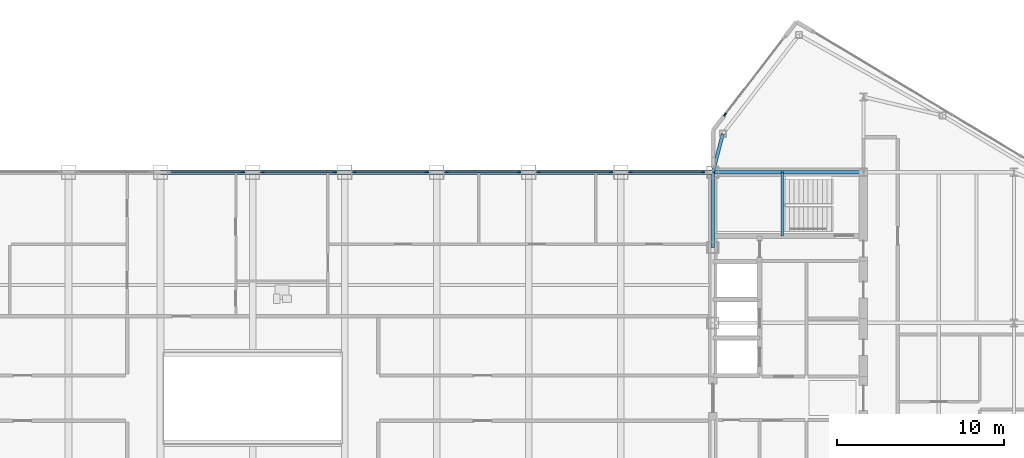
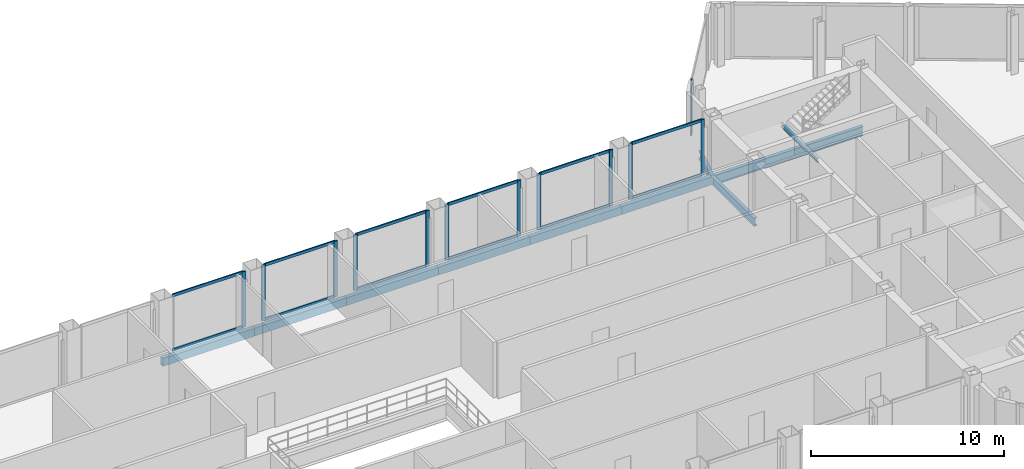
# One storey, part 16 of 29: 24 members, 10 beams, 7 elements without a shape of their own.
"""IFC4 building model written with IfcOpenShell, lengths in metres."""

from ifc_helpers import new_model, si_unit, direction, frame, origin, origin_2d, place, context, subcontext, project, spatial, rectangle, hollow_rectangle, i_section, extrude, source, transform, mapped, material, layer, layer_set, material_profile, profile_set, type_object, type_shapes, element, aggregate, save


model = new_model("IFC4")

# Units and contexts
model_context = context("Model", 3, precision=1e-05, world=origin(), true_north=direction((0.0, 1.0)))
body_context = subcontext(model_context, "Body", "Model", "MODEL_VIEW")
ifc_project = project(units=[si_unit("LENGTHUNIT", "METRE"), si_unit("AREAUNIT", "SQUARE_METRE"), si_unit("VOLUMEUNIT", "CUBIC_METRE"), si_unit("PLANEANGLEUNIT", "RADIAN"), si_unit("MASSUNIT", "GRAM", prefix="KILO")], contexts=[model_context])

# Site, building, storey
site_placement = place(None, origin())
site = spatial("IfcSite", under=ifc_project, at=site_placement, CompositionType="ELEMENT")
building_placement = place(site_placement, origin())
building = spatial("IfcBuilding", under=site, at=building_placement, Name="Seokmaru Belvedere", CompositionType="ELEMENT")
storey_placement = place(building_placement, frame((0.0, 0.0, 258.14990234375)))
storey = spatial("IfcBuildingStorey", under=building, at=storey_placement, Name="L68", CompositionType="ELEMENT", Elevation=258.14990234375)

# Beams
ifc_material_1 = material(Name="Steel SM355 (355 MPa)", Category="steel")
ifc_material_profile_1 = material_profile(ifc_material_1, i_section(OverallWidth=0.199951171875, OverallDepth=0.5, WebThickness=0.010009765625, FlangeThickness=0.01611328125, at=origin_2d()), Name="H-500x200x10x16")
ifc_profile_set_1 = profile_set([ifc_material_profile_1], Name="Steel SM355 (355 MPa)")
beam_type_1 = type_object("IfcBeamType", Name="Perimeter Spandrel Beam H-500", PredefinedType="SPANDREL", material=ifc_profile_set_1)
shared_shape_1 = source(origin(), body_context, "Body", "SweptSolid", [
    extrude(i_section(OverallWidth=0.199951171875, OverallDepth=0.5, WebThickness=0.010009765625, FlangeThickness=0.01611328125, at=origin_2d()), origin(), (0.0, 0.0, 1.0), 4.5),
])
beam_1_placement = place(storey_placement, frame((27.5, 9.0, -0.469970703125), z_axis=(0.0, 1.0, 0.0), x_axis=(-1.0, 0.0, 0.0)))
element("IfcBeam", 1, at=beam_1_placement, inside=storey, type_object=beam_type_1, Name="L68 E Portal Spine Spandrel 5", PredefinedType="SPANDREL", context=body_context, shape_type="MappedRepresentation", body=[
    mapped(shared_shape_1, transform((0.0, 0.0, 0.0), scale=1.0)),
])
ifc_material_profile_2 = material_profile(ifc_material_1, i_section(OverallWidth=0.199951171875, OverallDepth=0.60009765625, WebThickness=0.010986328125, FlangeThickness=0.01708984375, at=origin_2d()), Name="H-600x200x11x17")
ifc_profile_set_2 = profile_set([ifc_material_profile_2], Name="Steel SM355 (355 MPa)")
beam_type_2 = type_object("IfcBeamType", Name="Primary Floor Girder H-600", PredefinedType="BEAM", material=ifc_profile_set_2)
shared_shape_2 = source(origin(), body_context, "Body", "SweptSolid", [
    extrude(i_section(OverallWidth=0.199951171875, OverallDepth=0.60009765625, WebThickness=0.010986328125, FlangeThickness=0.01708984375, at=origin_2d()), origin(), (0.0, 0.0, 1.0), 9.0),
])
type_shapes(beam_type_2, [shared_shape_2])
beam_2_placement = place(storey_placement, frame((27.5, 13.5, -0.52001953125), z_axis=(1.0, 0.0, 0.0), x_axis=(0.0, 1.0, 0.0)))
element("IfcBeam", 2, at=beam_2_placement, inside=storey, type_object=beam_type_2, Name="L68 E Core Tie Girder 4", PredefinedType="BEAM", context=body_context, shape_type="MappedRepresentation", body=[
    mapped(shared_shape_2, transform((0.0, 0.0, 0.0), scale=1.0)),
])
shared_shape_3 = source(origin(), body_context, "Body", "SweptSolid", [
    extrude(i_section(OverallWidth=0.199951171875, OverallDepth=0.5, WebThickness=0.010009765625, FlangeThickness=0.01611328125, at=origin_2d()), origin(), (0.0, 0.0, 1.0), 2.373046875),
])
type_shapes(beam_type_1, [shared_shape_1, shared_shape_3])
beam_3_placement = place(storey_placement, frame((28.10009765625, 15.7958984375, -0.469970703125), z_axis=(-0.252882558842, -0.967496982648, 0.0), x_axis=(0.967496982648, -0.252882558842, 0.0)))
element("IfcBeam", 3, at=beam_3_placement, inside=storey, type_object=beam_type_1, Name="L68 E Shoulder Spine Spandrel N", PredefinedType="SPANDREL", context=body_context, shape_type="MappedRepresentation", body=[
    mapped(shared_shape_3, transform((0.0, 0.0, 0.0), scale=1.0)),
])
ifc_material_profile_3 = material_profile(ifc_material_1, hollow_rectangle(XDim=0.25, YDim=0.5, WallThickness=0.013916015625, at=origin_2d()), Name="RHS-500x250x14")
ifc_profile_set_3 = profile_set([ifc_material_profile_3], Name="Steel SM355 (355 MPa)")
beam_type_3 = type_object("IfcBeamType", Name="Bridge Edge Spandrel RHS-500", PredefinedType="SPANDREL", material=ifc_profile_set_3)
shared_shape_4 = source(origin(), body_context, "Body", "SweptSolid", [
    extrude(hollow_rectangle(XDim=0.25, YDim=0.5, WallThickness=0.013916015625, at=origin_2d()), origin(), (0.0, 0.0, 1.0), 5.5),
])
type_shapes(beam_type_3, [shared_shape_4])
for number, where, z_axis, x_axis, name in (
    (4, (-5.5, 13.5, -0.469970703125), (1.0, 0.0, 0.0), (0.0, 1.0, 0.0), "L68 Sky-Gate Bridge Edge Girder N-05"),
    (5, (0.0, 13.5, -0.469970703125), (1.0, 0.0, 0.0), (0.0, 1.0, 0.0), "L68 Sky-Gate Bridge Edge Girder N-06"),
    (6, (5.5, 13.5, -0.469970703125), (1.0, 0.0, 0.0), (0.0, 1.0, 0.0), "L68 Sky-Gate Bridge Edge Girder N-07"),
    (7, (11.0, 13.5, -0.469970703125), (1.0, 0.0, 0.0), (0.0, 1.0, 0.0), "L68 Sky-Gate Bridge Edge Girder N-08"),
    (8, (16.5, 13.5, -0.469970703125), (1.0, 0.0, 0.0), (0.0, 1.0, 0.0), "L68 Sky-Gate Bridge Edge Girder N-09"),
    (9, (22.0, 13.5, -0.469970703125), (1.0, 0.0, 0.0), (0.0, 1.0, 0.0), "L68 Sky-Gate Bridge Edge Girder N-10"),
):
    element("IfcBeam", number, at=place(storey_placement, frame(where, z_axis=z_axis, x_axis=x_axis)), inside=storey, type_object=beam_type_3, Name=name, PredefinedType="SPANDREL", context=body_context, shape_type="MappedRepresentation", body=[
        mapped(shared_shape_4, transform((0.0, 0.0, 0.0), scale=1.0)),
    ])

# Curtain wall, members
ifc_material_2 = material(Name="Bronze Triple Insulating Glass", Category="glass")
ifc_layer = layer(ifc_material_2, 0.219970703125)
ifc_layer_set = layer_set([ifc_layer], Name="Bronze Triple Insulating Glass")
curtain_wall_type = type_object("IfcCurtainWallType", Name="Sky-Gate Bridge Panorama Curtain Wall System CW-6", PredefinedType="NOTDEFINED", material=ifc_layer_set)
curtain_wall_1_placement = place(storey_placement, origin())
curtain_wall_1 = element("IfcCurtainWall", 10, at=curtain_wall_1_placement, inside=storey, type_object=curtain_wall_type, Name="L68 Curtain Wall BR_N05", PredefinedType="NOTDEFINED")
ifc_material_3 = material(Name="Anodised Bronze Aluminium", Category="aluminium")
ifc_material_profile_4 = material_profile(ifc_material_3, rectangle(XDim=0.074951171875, YDim=0.179931640625, at=origin_2d()), Name="CW-T-75x180")
ifc_profile_set_4 = profile_set([ifc_material_profile_4], Name="Anodised Bronze Aluminium")
member_type_1 = type_object("IfcMemberType", Name="Bronze Unitised Transom 75x180", PredefinedType="USERDEFINED", material=ifc_profile_set_4)
shared_shape_5 = source(origin(), body_context, "Body", "SweptSolid", [
    extrude(rectangle(XDim=0.074951171875, YDim=0.179931640625, at=origin_2d()), origin(), (0.0, 0.0, 1.0), 4.240234375),
])
type_shapes(member_type_1, [shared_shape_5])
member_1_placement = place(storey_placement, frame((-0.6298828125, 13.5, 0.03759765625), z_axis=(-1.0, 0.0, 0.0), x_axis=(0.0, -1.0, 0.0)))
member_1 = element("IfcMember", 11, at=member_1_placement, type_object=member_type_1, Name="CW:L68:BR_N05 Continuous Transom 1", ObjectType="TRANSOM", PredefinedType="USERDEFINED", context=body_context, shape_type="MappedRepresentation", body=[
    mapped(shared_shape_5, transform((0.0, 0.0, 0.0), scale=1.0)),
])
member_2_placement = place(storey_placement, frame((-0.6298828125, 13.5, 3.49267578125), z_axis=(-1.0, 0.0, 0.0), x_axis=(0.0, -1.0, 0.0)))
member_2 = element("IfcMember", 12, at=member_2_placement, type_object=member_type_1, Name="CW:L68:BR_N05 Continuous Transom 2", ObjectType="TRANSOM", PredefinedType="USERDEFINED", context=body_context, shape_type="MappedRepresentation", body=[
    mapped(shared_shape_5, transform((0.0, 0.0, 0.0), scale=1.0)),
])

curtain_wall_2_placement = place(storey_placement, origin())
curtain_wall_2 = element("IfcCurtainWall", 13, at=curtain_wall_2_placement, inside=storey, type_object=curtain_wall_type, Name="L68 Curtain Wall BR_N06", PredefinedType="NOTDEFINED")
member_3_placement = place(storey_placement, frame((4.8701171875, 13.5, 0.03759765625), z_axis=(-1.0, 0.0, 0.0), x_axis=(0.0, -1.0, 0.0)))
member_3 = element("IfcMember", 14, at=member_3_placement, type_object=member_type_1, Name="CW:L68:BR_N06 Continuous Transom 1", ObjectType="TRANSOM", PredefinedType="USERDEFINED", context=body_context, shape_type="MappedRepresentation", body=[
    mapped(shared_shape_5, transform((0.0, 0.0, 0.0), scale=1.0)),
])
member_4_placement = place(storey_placement, frame((4.8701171875, 13.5, 3.49267578125), z_axis=(-1.0, 0.0, 0.0), x_axis=(0.0, -1.0, 0.0)))
member_4 = element("IfcMember", 15, at=member_4_placement, type_object=member_type_1, Name="CW:L68:BR_N06 Continuous Transom 2", ObjectType="TRANSOM", PredefinedType="USERDEFINED", context=body_context, shape_type="MappedRepresentation", body=[
    mapped(shared_shape_5, transform((0.0, 0.0, 0.0), scale=1.0)),
])

curtain_wall_3_placement = place(storey_placement, origin())
curtain_wall_3 = element("IfcCurtainWall", 16, at=curtain_wall_3_placement, inside=storey, type_object=curtain_wall_type, Name="L68 Curtain Wall BR_N07", PredefinedType="NOTDEFINED")
member_5_placement = place(storey_placement, frame((10.3701171875, 13.5, 0.03759765625), z_axis=(-1.0, 0.0, 0.0), x_axis=(0.0, -1.0, 0.0)))
member_5 = element("IfcMember", 17, at=member_5_placement, type_object=member_type_1, Name="CW:L68:BR_N07 Continuous Transom 1", ObjectType="TRANSOM", PredefinedType="USERDEFINED", context=body_context, shape_type="MappedRepresentation", body=[
    mapped(shared_shape_5, transform((0.0, 0.0, 0.0), scale=1.0)),
])
member_6_placement = place(storey_placement, frame((10.3701171875, 13.5, 3.49267578125), z_axis=(-1.0, 0.0, 0.0), x_axis=(0.0, -1.0, 0.0)))
member_6 = element("IfcMember", 18, at=member_6_placement, type_object=member_type_1, Name="CW:L68:BR_N07 Continuous Transom 2", ObjectType="TRANSOM", PredefinedType="USERDEFINED", context=body_context, shape_type="MappedRepresentation", body=[
    mapped(shared_shape_5, transform((0.0, 0.0, 0.0), scale=1.0)),
])

curtain_wall_4_placement = place(storey_placement, origin())
curtain_wall_4 = element("IfcCurtainWall", 19, at=curtain_wall_4_placement, inside=storey, type_object=curtain_wall_type, Name="L68 Curtain Wall BR_N08", PredefinedType="NOTDEFINED")
member_7_placement = place(storey_placement, frame((15.8701171875, 13.5, 0.03759765625), z_axis=(-1.0, 0.0, 0.0), x_axis=(0.0, -1.0, 0.0)))
member_7 = element("IfcMember", 20, at=member_7_placement, type_object=member_type_1, Name="CW:L68:BR_N08 Continuous Transom 1", ObjectType="TRANSOM", PredefinedType="USERDEFINED", context=body_context, shape_type="MappedRepresentation", body=[
    mapped(shared_shape_5, transform((0.0, 0.0, 0.0), scale=1.0)),
])
member_8_placement = place(storey_placement, frame((15.8701171875, 13.5, 3.49267578125), z_axis=(-1.0, 0.0, 0.0), x_axis=(0.0, -1.0, 0.0)))
member_8 = element("IfcMember", 21, at=member_8_placement, type_object=member_type_1, Name="CW:L68:BR_N08 Continuous Transom 2", ObjectType="TRANSOM", PredefinedType="USERDEFINED", context=body_context, shape_type="MappedRepresentation", body=[
    mapped(shared_shape_5, transform((0.0, 0.0, 0.0), scale=1.0)),
])

curtain_wall_5_placement = place(storey_placement, origin())
curtain_wall_5 = element("IfcCurtainWall", 22, at=curtain_wall_5_placement, inside=storey, type_object=curtain_wall_type, Name="L68 Curtain Wall BR_N09", PredefinedType="NOTDEFINED")
member_9_placement = place(storey_placement, frame((21.3701171875, 13.5, 0.03759765625), z_axis=(-1.0, 0.0, 0.0), x_axis=(0.0, -1.0, 0.0)))
member_9 = element("IfcMember", 23, at=member_9_placement, type_object=member_type_1, Name="CW:L68:BR_N09 Continuous Transom 1", ObjectType="TRANSOM", PredefinedType="USERDEFINED", context=body_context, shape_type="MappedRepresentation", body=[
    mapped(shared_shape_5, transform((0.0, 0.0, 0.0), scale=1.0)),
])
member_10_placement = place(storey_placement, frame((21.3701171875, 13.5, 3.49267578125), z_axis=(-1.0, 0.0, 0.0), x_axis=(0.0, -1.0, 0.0)))
member_10 = element("IfcMember", 24, at=member_10_placement, type_object=member_type_1, Name="CW:L68:BR_N09 Continuous Transom 2", ObjectType="TRANSOM", PredefinedType="USERDEFINED", context=body_context, shape_type="MappedRepresentation", body=[
    mapped(shared_shape_5, transform((0.0, 0.0, 0.0), scale=1.0)),
])

curtain_wall_6_placement = place(storey_placement, origin())
curtain_wall_6 = element("IfcCurtainWall", 25, at=curtain_wall_6_placement, inside=storey, type_object=curtain_wall_type, Name="L68 Curtain Wall BR_N10", PredefinedType="NOTDEFINED")
member_11_placement = place(storey_placement, frame((26.8701171875, 13.5, 0.03759765625), z_axis=(-1.0, 0.0, 0.0), x_axis=(0.0, -1.0, 0.0)))
member_11 = element("IfcMember", 26, at=member_11_placement, type_object=member_type_1, Name="CW:L68:BR_N10 Continuous Transom 1", ObjectType="TRANSOM", PredefinedType="USERDEFINED", context=body_context, shape_type="MappedRepresentation", body=[
    mapped(shared_shape_5, transform((0.0, 0.0, 0.0), scale=1.0)),
])
member_12_placement = place(storey_placement, frame((26.8701171875, 13.5, 3.49267578125), z_axis=(-1.0, 0.0, 0.0), x_axis=(0.0, -1.0, 0.0)))
member_12 = element("IfcMember", 27, at=member_12_placement, type_object=member_type_1, Name="CW:L68:BR_N10 Continuous Transom 2", ObjectType="TRANSOM", PredefinedType="USERDEFINED", context=body_context, shape_type="MappedRepresentation", body=[
    mapped(shared_shape_5, transform((0.0, 0.0, 0.0), scale=1.0)),
])

# Curtain wall, member
curtain_wall_7_placement = place(storey_placement, origin())
curtain_wall_7 = element("IfcCurtainWall", 28, at=curtain_wall_7_placement, inside=storey, type_object=curtain_wall_type, Name="L68 Curtain Wall EF4", PredefinedType="NOTDEFINED")
ifc_material_profile_5 = material_profile(ifc_material_3, rectangle(XDim=0.080078125, YDim=0.219970703125, at=origin_2d()), Name="CW-M-80x220")
ifc_profile_set_5 = profile_set([ifc_material_profile_5], Name="Anodised Bronze Aluminium")
member_type_2 = type_object("IfcMemberType", Name="Bronze Unitised Mullion 80x220", PredefinedType="MULLION", material=ifc_profile_set_5)
shared_shape_6 = source(origin(), body_context, "Body", "SweptSolid", [
    extrude(rectangle(XDim=0.080078125, YDim=0.219970703125, at=origin_2d()), origin(), (0.0, 0.0, 1.0), 3.530029296875),
])
type_shapes(member_type_2, [shared_shape_6])
member_13_placement = place(storey_placement, frame((28.2255859375, 16.943115234375, 0.0), z_axis=(0.0, 0.0, 1.0), x_axis=(0.792631353244, -0.609701187349, 0.0)))
member_13 = element("IfcMember", 29, at=member_13_placement, type_object=member_type_2, Name="CW:L68:EF4 Mullion 2", PredefinedType="MULLION", context=body_context, shape_type="MappedRepresentation", body=[
    mapped(shared_shape_6, transform((0.0, 0.0, 0.0), scale=1.0)),
])
aggregate(curtain_wall_7, [member_13])

# Member
member_14_placement = place(storey_placement, frame((-0.590087890625, 13.5, 0.0), z_axis=(0.0, 0.0, 1.0), x_axis=(0.0, -1.0, 0.0)))
member_14 = element("IfcMember", 30, at=member_14_placement, type_object=member_type_2, Name="CW:L68:BR_N05 Mullion 1", PredefinedType="MULLION", context=body_context, shape_type="MappedRepresentation", body=[
    mapped(shared_shape_6, transform((0.0, 0.0, 0.0), scale=1.0)),
])

aggregate(curtain_wall_1, [member_14, member_1, member_2])

member_15_placement = place(storey_placement, frame((4.909912109375, 13.5, 0.0), z_axis=(0.0, 0.0, 1.0), x_axis=(0.0, -1.0, 0.0)))
member_15 = element("IfcMember", 31, at=member_15_placement, type_object=member_type_2, Name="CW:L68:BR_N06 Mullion 1", PredefinedType="MULLION", context=body_context, shape_type="MappedRepresentation", body=[
    mapped(shared_shape_6, transform((0.0, 0.0, 0.0), scale=1.0)),
])

member_16_placement = place(storey_placement, frame((0.590087890625, 13.5, 0.0), z_axis=(0.0, 0.0, 1.0), x_axis=(0.0, -1.0, 0.0)))
member_16 = element("IfcMember", 32, at=member_16_placement, type_object=member_type_2, Name="CW:L68:BR_N06 Mullion 2", PredefinedType="MULLION", context=body_context, shape_type="MappedRepresentation", body=[
    mapped(shared_shape_6, transform((0.0, 0.0, 0.0), scale=1.0)),
])

aggregate(curtain_wall_2, [member_15, member_16, member_3, member_4])

member_17_placement = place(storey_placement, frame((10.409912109375, 13.5, 0.0), z_axis=(0.0, 0.0, 1.0), x_axis=(0.0, -1.0, 0.0)))
member_17 = element("IfcMember", 33, at=member_17_placement, type_object=member_type_2, Name="CW:L68:BR_N07 Mullion 1", PredefinedType="MULLION", context=body_context, shape_type="MappedRepresentation", body=[
    mapped(shared_shape_6, transform((0.0, 0.0, 0.0), scale=1.0)),
])

member_18_placement = place(storey_placement, frame((6.090087890625, 13.5, 0.0), z_axis=(0.0, 0.0, 1.0), x_axis=(0.0, -1.0, 0.0)))
member_18 = element("IfcMember", 34, at=member_18_placement, type_object=member_type_2, Name="CW:L68:BR_N07 Mullion 2", PredefinedType="MULLION", context=body_context, shape_type="MappedRepresentation", body=[
    mapped(shared_shape_6, transform((0.0, 0.0, 0.0), scale=1.0)),
])

aggregate(curtain_wall_3, [member_17, member_18, member_5, member_6])

member_19_placement = place(storey_placement, frame((15.909912109375, 13.5, 0.0), z_axis=(0.0, 0.0, 1.0), x_axis=(0.0, -1.0, 0.0)))
member_19 = element("IfcMember", 35, at=member_19_placement, type_object=member_type_2, Name="CW:L68:BR_N08 Mullion 1", PredefinedType="MULLION", context=body_context, shape_type="MappedRepresentation", body=[
    mapped(shared_shape_6, transform((0.0, 0.0, 0.0), scale=1.0)),
])

member_20_placement = place(storey_placement, frame((11.590087890625, 13.5, 0.0), z_axis=(0.0, 0.0, 1.0), x_axis=(0.0, -1.0, 0.0)))
member_20 = element("IfcMember", 36, at=member_20_placement, type_object=member_type_2, Name="CW:L68:BR_N08 Mullion 2", PredefinedType="MULLION", context=body_context, shape_type="MappedRepresentation", body=[
    mapped(shared_shape_6, transform((0.0, 0.0, 0.0), scale=1.0)),
])

aggregate(curtain_wall_4, [member_19, member_20, member_7, member_8])

member_21_placement = place(storey_placement, frame((21.409912109375, 13.5, 0.0), z_axis=(0.0, 0.0, 1.0), x_axis=(0.0, -1.0, 0.0)))
member_21 = element("IfcMember", 37, at=member_21_placement, type_object=member_type_2, Name="CW:L68:BR_N09 Mullion 1", PredefinedType="MULLION", context=body_context, shape_type="MappedRepresentation", body=[
    mapped(shared_shape_6, transform((0.0, 0.0, 0.0), scale=1.0)),
])

member_22_placement = place(storey_placement, frame((17.090087890625, 13.5, 0.0), z_axis=(0.0, 0.0, 1.0), x_axis=(0.0, -1.0, 0.0)))
member_22 = element("IfcMember", 38, at=member_22_placement, type_object=member_type_2, Name="CW:L68:BR_N09 Mullion 2", PredefinedType="MULLION", context=body_context, shape_type="MappedRepresentation", body=[
    mapped(shared_shape_6, transform((0.0, 0.0, 0.0), scale=1.0)),
])

aggregate(curtain_wall_5, [member_21, member_22, member_9, member_10])

member_23_placement = place(storey_placement, frame((26.909912109375, 13.5, 0.0), z_axis=(0.0, 0.0, 1.0), x_axis=(0.0, -1.0, 0.0)))
member_23 = element("IfcMember", 39, at=member_23_placement, type_object=member_type_2, Name="CW:L68:BR_N10 Mullion 1", PredefinedType="MULLION", context=body_context, shape_type="MappedRepresentation", body=[
    mapped(shared_shape_6, transform((0.0, 0.0, 0.0), scale=1.0)),
])

member_24_placement = place(storey_placement, frame((22.590087890625, 13.5, 0.0), z_axis=(0.0, 0.0, 1.0), x_axis=(0.0, -1.0, 0.0)))
member_24 = element("IfcMember", 40, at=member_24_placement, type_object=member_type_2, Name="CW:L68:BR_N10 Mullion 2", PredefinedType="MULLION", context=body_context, shape_type="MappedRepresentation", body=[
    mapped(shared_shape_6, transform((0.0, 0.0, 0.0), scale=1.0)),
])

aggregate(curtain_wall_6, [member_23, member_24, member_11, member_12])

# Beam
ifc_material_profile_6 = material_profile(ifc_material_1, i_section(OverallWidth=0.125, OverallDepth=0.25, WebThickness=0.006103515625, FlangeThickness=0.009033203125, at=origin_2d()), Name="H-250x125x6x9")
ifc_profile_set_6 = profile_set([ifc_material_profile_6], Name="Steel SM355 (355 MPa)")
beam_type_4 = type_object("IfcBeamType", Name="Stair Mid-Landing Support Beam H-250", PredefinedType="JOIST", material=ifc_profile_set_6)
shared_shape_7 = source(origin(), body_context, "Body", "SweptSolid", [
    extrude(i_section(OverallWidth=0.125, OverallDepth=0.25, WebThickness=0.006103515625, FlangeThickness=0.009033203125, at=origin_2d()), origin(), (0.0, 0.0, 1.0), 3.800048828125),
])
type_shapes(beam_type_4, [shared_shape_7])
beam_4_placement = place(storey_placement, frame((31.64990234375, 9.699951171875, 1.550048828125), z_axis=(0.0, 1.0, 0.0), x_axis=(-1.0, 0.0, 0.0)))
element("IfcBeam", 41, at=beam_4_placement, inside=storey, type_object=beam_type_4, Name="L68 Stair ST-E2 Mid-Landing Support Beam 1", PredefinedType="JOIST", context=body_context, shape_type="MappedRepresentation", body=[
    mapped(shared_shape_7, transform((0.0, 0.0, 0.0), scale=1.0)),
])

save(model, "model.ifc")
